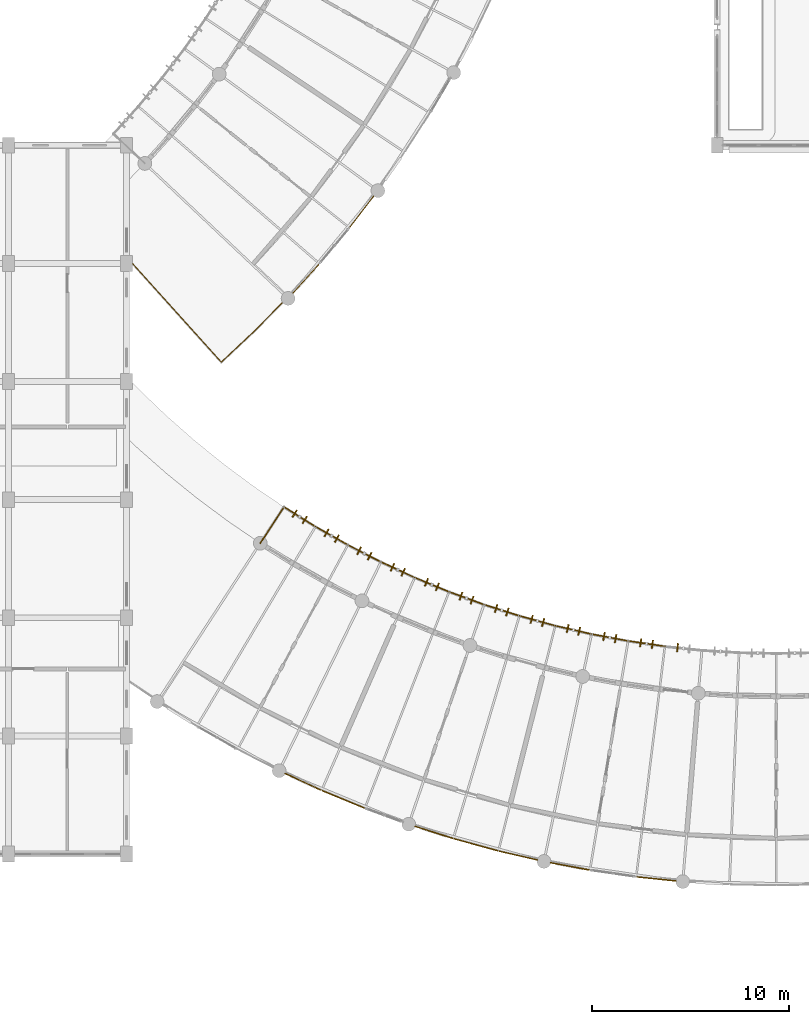
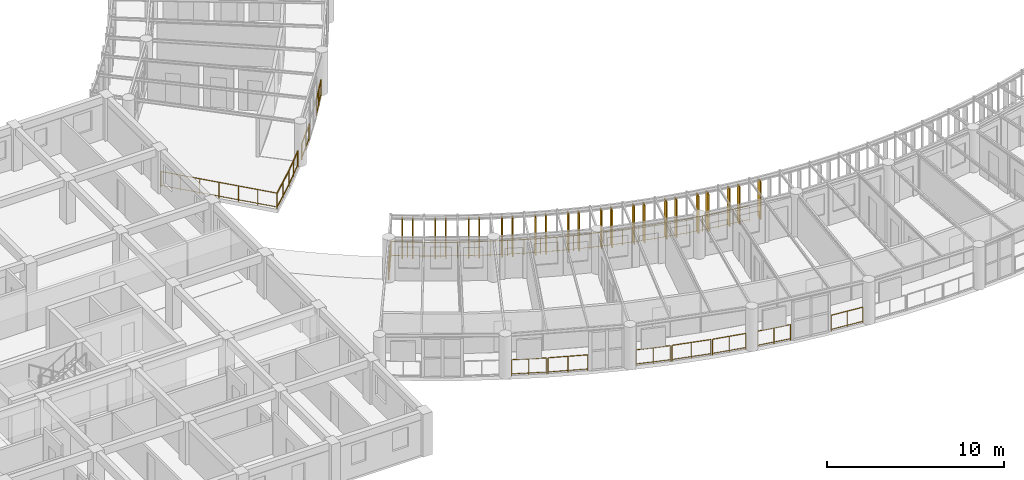
# One storey, part 123 of 137: 24 railings, 23 shading devices.
"""IFC4 building model written with IfcOpenShell, lengths in metres."""

from ifc_helpers import new_model, si_unit, direction, frame, origin, origin_2d, place, context, subcontext, project, spatial, rectangle, circle, extrude, material, layer, layer_set, type_object, element, save


model = new_model("IFC4")

# Units and contexts
model_context = context("Model", 3, precision=1e-05, world=origin(), true_north=direction((0.0, 1.0)))
body_context = subcontext(model_context, "Body", "Model", "MODEL_VIEW")
ifc_project = project(units=[si_unit("LENGTHUNIT", "METRE"), si_unit("AREAUNIT", "SQUARE_METRE"), si_unit("VOLUMEUNIT", "CUBIC_METRE"), si_unit("PLANEANGLEUNIT", "RADIAN"), si_unit("MASSUNIT", "GRAM", prefix="KILO"), si_unit("POWERUNIT", "WATT"), si_unit("THERMODYNAMICTEMPERATUREUNIT", "KELVIN")], contexts=[model_context])

# Site, building, storey
site_placement = place(None, origin())
site = spatial("IfcSite", under=ifc_project, at=site_placement, CompositionType="ELEMENT")
building_placement = place(site_placement, origin())
building = spatial("IfcBuilding", under=site, at=building_placement, Name="Ruvembo Vaulted Housing Court", CompositionType="ELEMENT")
storey_placement = place(building_placement, frame((0.0, 0.0, 4.5)))
storey = spatial("IfcBuildingStorey", under=building, at=storey_placement, Name="L01", CompositionType="ELEMENT", Elevation=4.5)

# Railings
ifc_material_1 = material(Name="Galvanised Painted Steel and Laminated Glass", Category="steel")
ifc_layer_1 = layer(ifc_material_1, 0.070068359375, Name="Galvanised Painted Steel and Laminated Glass")
ifc_layer_set_1 = layer_set([ifc_layer_1], Name="Galvanised Painted Steel and Laminated Glass")
railing_type_1 = type_object("IfcRailingType", Name="RL-BALUST-1120", PredefinedType="BALUSTRADE", material=ifc_layer_set_1)
railing_1_placement = place(storey_placement, frame((44.442626953125, 34.47900390625, 0.0)))
element("IfcRailing", 1, at=railing_1_placement, inside=storey, type_object=railing_type_1, Name="L01 Perimeter Guard RL-EXT-L01-0037", PredefinedType="BALUSTRADE", context=body_context, shape_type="SweptSolid", body=[
    extrude(circle(Radius=0.02392578125, at=origin_2d()), frame((0.0, 0.0, 1.09619140625), z_axis=(0.670893916211, 0.741553338062, 0.0), x_axis=(-0.741553338062, 0.670893916211, 0.0)), (0.0, 0.0, 1.0), 1.976318359375),
    extrude(circle(Radius=0.01806640625, at=origin_2d()), frame((0.0, 0.0, 0.1201171875), z_axis=(0.670893916211, 0.741553338062, 0.0), x_axis=(-0.741553338062, 0.670893916211, 0.0)), (0.0, 0.0, 1.0), 1.976318359375),
    extrude(circle(Radius=0.02099609375, at=origin_2d()), origin(), (0.0, 0.0, 1.0), 1.072021484375),
    extrude(circle(Radius=0.02099609375, at=origin_2d()), frame((0.6630859375, 0.73291015625, 0.0)), (0.0, 0.0, 1.0), 1.072021484375),
    extrude(circle(Radius=0.02099609375, at=origin_2d()), frame((1.325927734375, 1.465576171875, 0.0)), (0.0, 0.0, 1.0), 1.072021484375),
])
railing_2_placement = place(storey_placement, frame((47.35302734375, 37.847900390625, 0.0)))
element("IfcRailing", 2, at=railing_2_placement, inside=storey, type_object=railing_type_1, Name="L01 Perimeter Guard RL-EXT-L01-0038", PredefinedType="BALUSTRADE", context=body_context, shape_type="SweptSolid", body=[
    extrude(circle(Radius=0.02392578125, at=origin_2d()), frame((0.0, 0.0, 1.09619140625), z_axis=(0.607954304296, 0.793972017069, 0.0), x_axis=(-0.793972017069, 0.607954304296, 0.0)), (0.0, 0.0, 1.0), 1.9765625),
    extrude(circle(Radius=0.01806640625, at=origin_2d()), frame((0.0, 0.0, 0.1201171875), z_axis=(0.607954304296, 0.793972017069, 0.0), x_axis=(-0.793972017069, 0.607954304296, 0.0)), (0.0, 0.0, 1.0), 1.9765625),
    extrude(circle(Radius=0.02099609375, at=origin_2d()), origin(), (0.0, 0.0, 1.0), 1.072021484375),
    extrude(circle(Radius=0.02099609375, at=origin_2d()), frame((0.600830078125, 0.78466796875, 0.0)), (0.0, 0.0, 1.0), 1.072021484375),
    extrude(circle(Radius=0.02099609375, at=origin_2d()), frame((1.20166015625, 1.5693359375, 0.0)), (0.0, 0.0, 1.0), 1.072021484375),
])
railing_3_placement = place(storey_placement, frame((44.0673828125, 10.08251953125, 0.0)))
element("IfcRailing", 3, at=railing_3_placement, inside=storey, type_object=railing_type_1, Name="L01 Perimeter Guard RL-EXT-L01-0268", PredefinedType="BALUSTRADE", context=body_context, shape_type="SweptSolid", body=[
    extrude(circle(Radius=0.02392578125, at=origin_2d()), frame((0.0, 0.0, 1.09619140625), z_axis=(0.907673517056, -0.41967700251, 0.0), x_axis=(0.41967700251, 0.907673517056, 0.0)), (0.0, 0.0, 1.0), 1.97607421875),
    extrude(circle(Radius=0.01806640625, at=origin_2d()), frame((0.0, 0.0, 0.1201171875), z_axis=(0.907673517056, -0.41967700251, 0.0), x_axis=(0.41967700251, 0.907673517056, 0.0)), (0.0, 0.0, 1.0), 1.97607421875),
    extrude(circle(Radius=0.02099609375, at=origin_2d()), origin(), (0.0, 0.0, 1.0), 1.072021484375),
    extrude(circle(Radius=0.02099609375, at=origin_2d()), frame((0.89697265625, -0.41455078125, 0.0)), (0.0, 0.0, 1.0), 1.072021484375),
    extrude(circle(Radius=0.02099609375, at=origin_2d()), frame((1.793701171875, -0.829345703125, 0.0)), (0.0, 0.0, 1.0), 1.072021484375),
])
railing_4_placement = place(storey_placement, frame((45.95263671875, 9.213134765625, 0.0)))
element("IfcRailing", 4, at=railing_4_placement, inside=storey, type_object=railing_type_1, Name="L01 Perimeter Guard RL-EXT-L01-0269", PredefinedType="BALUSTRADE", context=body_context, shape_type="SweptSolid", body=[
    extrude(circle(Radius=0.02392578125, at=origin_2d()), frame((0.0, 0.0, 1.09619140625), z_axis=(0.924177481842, -0.381963325538, 0.0), x_axis=(0.381963325538, 0.924177481842, 0.0)), (0.0, 0.0, 1.0), 2.276123046875),
    extrude(circle(Radius=0.01806640625, at=origin_2d()), frame((0.0, 0.0, 0.1201171875), z_axis=(0.924177481842, -0.381963325538, 0.0), x_axis=(0.381963325538, 0.924177481842, 0.0)), (0.0, 0.0, 1.0), 2.276123046875),
    extrude(circle(Radius=0.02099609375, at=origin_2d()), origin(), (0.0, 0.0, 1.0), 1.072021484375),
    extrude(circle(Radius=0.02099609375, at=origin_2d()), frame((1.0517578125, -0.4345703125, 0.0)), (0.0, 0.0, 1.0), 1.072021484375),
    extrude(circle(Radius=0.02099609375, at=origin_2d()), frame((2.103515625, -0.869384765625, 0.0)), (0.0, 0.0, 1.0), 1.072021484375),
])
railing_5_placement = place(storey_placement, frame((50.6669921875, 7.40185546875, 0.0)))
element("IfcRailing", 5, at=railing_5_placement, inside=storey, type_object=railing_type_1, Name="L01 Perimeter Guard RL-EXT-L01-0270", PredefinedType="BALUSTRADE", context=body_context, shape_type="SweptSolid", body=[
    extrude(circle(Radius=0.02392578125, at=origin_2d()), frame((0.0, 0.0, 1.09619140625), z_axis=(0.952538839292, -0.304417081714, 0.0), x_axis=(0.304417081714, 0.952538839292, 0.0)), (0.0, 0.0, 1.0), 1.97607421875),
    extrude(circle(Radius=0.01806640625, at=origin_2d()), frame((0.0, 0.0, 0.1201171875), z_axis=(0.952538839292, -0.304417081714, 0.0), x_axis=(0.304417081714, 0.952538839292, 0.0)), (0.0, 0.0, 1.0), 1.97607421875),
    extrude(circle(Radius=0.02099609375, at=origin_2d()), origin(), (0.0, 0.0, 1.0), 1.072021484375),
    extrude(circle(Radius=0.02099609375, at=origin_2d()), frame((0.941162109375, -0.30078125, 0.0)), (0.0, 0.0, 1.0), 1.072021484375),
    extrude(circle(Radius=0.02099609375, at=origin_2d()), frame((1.88232421875, -0.6015625, 0.0)), (0.0, 0.0, 1.0), 1.072021484375),
])
railing_6_placement = place(storey_placement, frame((52.64501953125, 6.771728515625, 0.0)))
element("IfcRailing", 6, at=railing_6_placement, inside=storey, type_object=railing_type_1, Name="L01 Perimeter Guard RL-EXT-L01-0271", PredefinedType="BALUSTRADE", context=body_context, shape_type="SweptSolid", body=[
    extrude(circle(Radius=0.02392578125, at=origin_2d()), frame((0.0, 0.0, 1.09619140625), z_axis=(0.964267067666, -0.264932108691, 0.0), x_axis=(0.264932108691, 0.964267067666, 0.0)), (0.0, 0.0, 1.0), 2.276123046875),
    extrude(circle(Radius=0.01806640625, at=origin_2d()), frame((0.0, 0.0, 0.1201171875), z_axis=(0.964267067666, -0.264932108691, 0.0), x_axis=(0.264932108691, 0.964267067666, 0.0)), (0.0, 0.0, 1.0), 2.276123046875),
    extrude(circle(Radius=0.02099609375, at=origin_2d()), origin(), (0.0, 0.0, 1.0), 1.072021484375),
    extrude(circle(Radius=0.02099609375, at=origin_2d()), frame((1.097412109375, -0.301513671875, 0.0)), (0.0, 0.0, 1.0), 1.072021484375),
    extrude(circle(Radius=0.02099609375, at=origin_2d()), frame((2.19482421875, -0.60302734375, 0.0)), (0.0, 0.0, 1.0), 1.072021484375),
])
railing_7_placement = place(storey_placement, frame((54.936767578125, 6.144287109375, 0.0)))
element("IfcRailing", 7, at=railing_7_placement, inside=storey, type_object=railing_type_1, Name="L01 Perimeter Guard RL-EXT-L01-0272", PredefinedType="BALUSTRADE", context=body_context, shape_type="SweptSolid", body=[
    extrude(circle(Radius=0.02392578125, at=origin_2d()), frame((0.0, 0.0, 1.09619140625), z_axis=(0.974359950311, -0.224994860451, 0.0), x_axis=(0.224994860451, 0.974359950311, 0.0)), (0.0, 0.0, 1.0), 1.97607421875),
    extrude(circle(Radius=0.01806640625, at=origin_2d()), frame((0.0, 0.0, 0.1201171875), z_axis=(0.974359950311, -0.224994860451, 0.0), x_axis=(0.224994860451, 0.974359950311, 0.0)), (0.0, 0.0, 1.0), 1.97607421875),
    extrude(circle(Radius=0.02099609375, at=origin_2d()), origin(), (0.0, 0.0, 1.0), 1.072021484375),
    extrude(circle(Radius=0.02099609375, at=origin_2d()), frame((0.962646484375, -0.22216796875, 0.0)), (0.0, 0.0, 1.0), 1.072021484375),
    extrude(circle(Radius=0.02099609375, at=origin_2d()), frame((1.92529296875, -0.444580078125, 0.0)), (0.0, 0.0, 1.0), 1.072021484375),
])
railing_8_placement = place(storey_placement, frame((57.547119140625, 5.556396484375, 0.0)))
element("IfcRailing", 8, at=railing_8_placement, inside=storey, type_object=railing_type_1, Name="L01 Perimeter Guard RL-EXT-L01-0273", PredefinedType="BALUSTRADE", context=body_context, shape_type="SweptSolid", body=[
    extrude(circle(Radius=0.02392578125, at=origin_2d()), frame((0.0, 0.0, 1.09619140625), z_axis=(0.982817596647, -0.184579445555, 0.0), x_axis=(0.184579445555, 0.982817596647, 0.0)), (0.0, 0.0, 1.0), 1.97607421875),
    extrude(circle(Radius=0.01806640625, at=origin_2d()), frame((0.0, 0.0, 0.1201171875), z_axis=(0.982817596647, -0.184579445555, 0.0), x_axis=(0.184579445555, 0.982817596647, 0.0)), (0.0, 0.0, 1.0), 1.97607421875),
    extrude(circle(Radius=0.02099609375, at=origin_2d()), origin(), (0.0, 0.0, 1.0), 1.072021484375),
    extrude(circle(Radius=0.02099609375, at=origin_2d()), frame((0.97119140625, -0.182373046875, 0.0)), (0.0, 0.0, 1.0), 1.072021484375),
    extrude(circle(Radius=0.02099609375, at=origin_2d()), frame((1.942138671875, -0.36474609375, 0.0)), (0.0, 0.0, 1.0), 1.072021484375),
])
railing_9_placement = place(storey_placement, frame((61.939208984375, 4.83544921875, 0.0)))
element("IfcRailing", 9, at=railing_9_placement, inside=storey, type_object=railing_type_1, Name="L01 Perimeter Guard RL-EXT-L01-0274", PredefinedType="BALUSTRADE", context=body_context, shape_type="SweptSolid", body=[
    extrude(circle(Radius=0.02392578125, at=origin_2d()), frame((0.0, 0.0, 1.09619140625), z_axis=(0.994677394502, -0.103038249536, 0.0), x_axis=(0.103038249536, 0.994677394502, 0.0)), (0.0, 0.0, 1.0), 1.97607421875),
    extrude(circle(Radius=0.01806640625, at=origin_2d()), frame((0.0, 0.0, 0.1201171875), z_axis=(0.994677394502, -0.103038249536, 0.0), x_axis=(0.103038249536, 0.994677394502, 0.0)), (0.0, 0.0, 1.0), 1.97607421875),
    extrude(circle(Radius=0.02099609375, at=origin_2d()), origin(), (0.0, 0.0, 1.0), 1.072021484375),
    extrude(circle(Radius=0.02099609375, at=origin_2d()), frame((0.98291015625, -0.101806640625, 0.0)), (0.0, 0.0, 1.0), 1.072021484375),
    extrude(circle(Radius=0.02099609375, at=origin_2d()), frame((1.965576171875, -0.20361328125, 0.0)), (0.0, 0.0, 1.0), 1.072021484375),
])
ifc_material_2 = material(Name="Galvanised Painted Steel S275", Category="steel")
ifc_layer_2 = layer(ifc_material_2, 0.06005859375, Name="Galvanised Painted Steel S275")
ifc_layer_set_2 = layer_set([ifc_layer_2], Name="Galvanised Painted Steel S275")
railing_type_2 = type_object("IfcRailingType", Name="RL-GUARD-1100", PredefinedType="GUARDRAIL", material=ifc_layer_set_2)
railing_10_placement = place(storey_placement, frame((42.79345703125, 21.785400390625, 0.0)))
element("IfcRailing", 10, at=railing_10_placement, inside=storey, type_object=railing_type_2, Name="L01 Perimeter Guard RL-EXT-L01-0236", PredefinedType="GUARDRAIL", context=body_context, shape_type="SweptSolid", body=[
    extrude(circle(Radius=0.02392578125, at=origin_2d()), frame((0.0, 0.0, 1.076171875), z_axis=(0.546013859183, 0.837776142881, 0.0), x_axis=(-0.837776142881, 0.546013859183, 0.0)), (0.0, 0.0, 1.0), 2.199951171875),
    extrude(circle(Radius=0.01806640625, at=origin_2d()), frame((0.0, 0.0, 0.1201171875), z_axis=(0.546013859183, 0.837776142881, 0.0), x_axis=(-0.837776142881, 0.546013859183, 0.0)), (0.0, 0.0, 1.0), 2.199951171875),
    extrude(circle(Radius=0.02099609375, at=origin_2d()), origin(), (0.0, 0.0, 1.0), 1.052001953125),
    extrude(circle(Radius=0.02099609375, at=origin_2d()), frame((0.6005859375, 0.92138671875, 0.0)), (0.0, 0.0, 1.0), 1.052001953125),
    extrude(circle(Radius=0.02099609375, at=origin_2d()), frame((1.201171875, 1.843017578125, 0.0)), (0.0, 0.0, 1.0), 1.052001953125),
])
railing_11_placement = place(storey_placement, frame((43.99462890625, 23.62841796875, 0.0)))
element("IfcRailing", 11, at=railing_11_placement, inside=storey, type_object=railing_type_2, Name="L01 Perimeter Guard RL-EXT-L01-0237", PredefinedType="GUARDRAIL", context=body_context, shape_type="SweptSolid", body=[
    extrude(circle(Radius=0.02392578125, at=origin_2d()), frame((0.0, 0.0, 1.076171875), z_axis=(0.848904567119, -0.52854615307, 0.0), x_axis=(0.52854615307, 0.848904567119, 0.0)), (0.0, 0.0, 1.0), 1.88916015625),
    extrude(circle(Radius=0.01806640625, at=origin_2d()), frame((0.0, 0.0, 0.1201171875), z_axis=(0.848904567119, -0.52854615307, 0.0), x_axis=(0.52854615307, 0.848904567119, 0.0)), (0.0, 0.0, 1.0), 1.88916015625),
    extrude(circle(Radius=0.02099609375, at=origin_2d()), origin(), (0.0, 0.0, 1.0), 1.052001953125),
    extrude(circle(Radius=0.02099609375, at=origin_2d()), frame((0.8017578125, -0.499267578125, 0.0)), (0.0, 0.0, 1.0), 1.052001953125),
    extrude(circle(Radius=0.02099609375, at=origin_2d()), frame((1.603759765625, -0.99853515625, 0.0)), (0.0, 0.0, 1.0), 1.052001953125),
])
railing_12_placement = place(storey_placement, frame((45.598388671875, 22.6298828125, 0.0)))
element("IfcRailing", 12, at=railing_12_placement, inside=storey, type_object=railing_type_2, Name="L01 Perimeter Guard RL-EXT-L01-0238", PredefinedType="GUARDRAIL", context=body_context, shape_type="SweptSolid", body=[
    extrude(circle(Radius=0.02392578125, at=origin_2d()), frame((0.0, 0.0, 1.076171875), z_axis=(0.869955662473, -0.493129947712, 0.0), x_axis=(0.493129947712, 0.869955662473, 0.0)), (0.0, 0.0, 1.0), 1.88916015625),
    extrude(circle(Radius=0.01806640625, at=origin_2d()), frame((0.0, 0.0, 0.1201171875), z_axis=(0.869955662473, -0.493129947712, 0.0), x_axis=(0.493129947712, 0.869955662473, 0.0)), (0.0, 0.0, 1.0), 1.88916015625),
    extrude(circle(Radius=0.02099609375, at=origin_2d()), origin(), (0.0, 0.0, 1.0), 1.052001953125),
    extrude(circle(Radius=0.02099609375, at=origin_2d()), frame((0.82177734375, -0.4658203125, 0.0)), (0.0, 0.0, 1.0), 1.052001953125),
    extrude(circle(Radius=0.02099609375, at=origin_2d()), frame((1.6435546875, -0.931640625, 0.0)), (0.0, 0.0, 1.0), 1.052001953125),
])
railing_13_placement = place(storey_placement, frame((47.241943359375, 21.6982421875, 0.0)))
element("IfcRailing", 13, at=railing_13_placement, inside=storey, type_object=railing_type_2, Name="L01 Perimeter Guard RL-EXT-L01-0239", PredefinedType="GUARDRAIL", context=body_context, shape_type="SweptSolid", body=[
    extrude(circle(Radius=0.02392578125, at=origin_2d()), frame((0.0, 0.0, 1.076171875), z_axis=(0.889568437347, -0.45680192127, 0.0), x_axis=(0.45680192127, 0.889568437347, 0.0)), (0.0, 0.0, 1.0), 1.889404296875),
    extrude(circle(Radius=0.01806640625, at=origin_2d()), frame((0.0, 0.0, 0.1201171875), z_axis=(0.889568437347, -0.45680192127, 0.0), x_axis=(0.45680192127, 0.889568437347, 0.0)), (0.0, 0.0, 1.0), 1.889404296875),
    extrude(circle(Radius=0.02099609375, at=origin_2d()), origin(), (0.0, 0.0, 1.0), 1.052001953125),
    extrude(circle(Radius=0.02099609375, at=origin_2d()), frame((0.84033203125, -0.431640625, 0.0)), (0.0, 0.0, 1.0), 1.052001953125),
    extrude(circle(Radius=0.02099609375, at=origin_2d()), frame((1.6806640625, -0.863037109375, 0.0)), (0.0, 0.0, 1.0), 1.052001953125),
])
railing_14_placement = place(storey_placement, frame((48.922607421875, 20.835205078125, 0.0)))
element("IfcRailing", 14, at=railing_14_placement, inside=storey, type_object=railing_type_2, Name="L01 Perimeter Guard RL-EXT-L01-0240", PredefinedType="GUARDRAIL", context=body_context, shape_type="SweptSolid", body=[
    extrude(circle(Radius=0.02392578125, at=origin_2d()), frame((0.0, 0.0, 1.076171875), z_axis=(0.907656578832, -0.419713634403, 0.0), x_axis=(0.419713634403, 0.907656578832, 0.0)), (0.0, 0.0, 1.0), 1.889404296875),
    extrude(circle(Radius=0.01806640625, at=origin_2d()), frame((0.0, 0.0, 0.1201171875), z_axis=(0.907656578832, -0.419713634403, 0.0), x_axis=(0.419713634403, 0.907656578832, 0.0)), (0.0, 0.0, 1.0), 1.889404296875),
    extrude(circle(Radius=0.02099609375, at=origin_2d()), origin(), (0.0, 0.0, 1.0), 1.052001953125),
    extrude(circle(Radius=0.02099609375, at=origin_2d()), frame((0.857421875, -0.396484375, 0.0)), (0.0, 0.0, 1.0), 1.052001953125),
    extrude(circle(Radius=0.02099609375, at=origin_2d()), frame((1.71484375, -0.79296875, 0.0)), (0.0, 0.0, 1.0), 1.052001953125),
])
railing_15_placement = place(storey_placement, frame((50.637451171875, 20.042236328125, 0.0)))
element("IfcRailing", 15, at=railing_15_placement, inside=storey, type_object=railing_type_2, Name="L01 Perimeter Guard RL-EXT-L01-0241", PredefinedType="GUARDRAIL", context=body_context, shape_type="SweptSolid", body=[
    extrude(circle(Radius=0.02392578125, at=origin_2d()), frame((0.0, 0.0, 1.076171875), z_axis=(0.924155321549, -0.38201693896, 0.0), x_axis=(0.38201693896, 0.924155321549, 0.0)), (0.0, 0.0, 1.0), 1.88916015625),
    extrude(circle(Radius=0.01806640625, at=origin_2d()), frame((0.0, 0.0, 0.1201171875), z_axis=(0.924155321549, -0.38201693896, 0.0), x_axis=(0.38201693896, 0.924155321549, 0.0)), (0.0, 0.0, 1.0), 1.88916015625),
    extrude(circle(Radius=0.02099609375, at=origin_2d()), origin(), (0.0, 0.0, 1.0), 1.052001953125),
    extrude(circle(Radius=0.02099609375, at=origin_2d()), frame((0.873046875, -0.36083984375, 0.0)), (0.0, 0.0, 1.0), 1.052001953125),
    extrude(circle(Radius=0.02099609375, at=origin_2d()), frame((1.745849609375, -0.7216796875, 0.0)), (0.0, 0.0, 1.0), 1.052001953125),
])
railing_16_placement = place(storey_placement, frame((52.38330078125, 19.320556640625, 0.0)))
element("IfcRailing", 16, at=railing_16_placement, inside=storey, type_object=railing_type_2, Name="L01 Perimeter Guard RL-EXT-L01-0242", PredefinedType="GUARDRAIL", context=body_context, shape_type="SweptSolid", body=[
    extrude(circle(Radius=0.02392578125, at=origin_2d()), frame((0.0, 0.0, 1.076171875), z_axis=(0.939165556371, -0.343464783824, 0.0), x_axis=(0.343464783824, 0.939165556371, 0.0)), (0.0, 0.0, 1.0), 1.889404296875),
    extrude(circle(Radius=0.01806640625, at=origin_2d()), frame((0.0, 0.0, 0.1201171875), z_axis=(0.939165556371, -0.343464783824, 0.0), x_axis=(0.343464783824, 0.939165556371, 0.0)), (0.0, 0.0, 1.0), 1.889404296875),
    extrude(circle(Radius=0.02099609375, at=origin_2d()), origin(), (0.0, 0.0, 1.0), 1.052001953125),
    extrude(circle(Radius=0.02099609375, at=origin_2d()), frame((0.88720703125, -0.324462890625, 0.0)), (0.0, 0.0, 1.0), 1.052001953125),
    extrude(circle(Radius=0.02099609375, at=origin_2d()), frame((1.7744140625, -0.64892578125, 0.0)), (0.0, 0.0, 1.0), 1.052001953125),
])
railing_17_placement = place(storey_placement, frame((54.15771484375, 18.671630859375, 0.0)))
element("IfcRailing", 17, at=railing_17_placement, inside=storey, type_object=railing_type_2, Name="L01 Perimeter Guard RL-EXT-L01-0243", PredefinedType="GUARDRAIL", context=body_context, shape_type="SweptSolid", body=[
    extrude(circle(Radius=0.02392578125, at=origin_2d()), frame((0.0, 0.0, 1.076171875), z_axis=(0.952526124364, -0.304456864605, 0.0), x_axis=(0.304456864605, 0.952526124364, 0.0)), (0.0, 0.0, 1.0), 1.88916015625),
    extrude(circle(Radius=0.01806640625, at=origin_2d()), frame((0.0, 0.0, 0.1201171875), z_axis=(0.952526124364, -0.304456864605, 0.0), x_axis=(0.304456864605, 0.952526124364, 0.0)), (0.0, 0.0, 1.0), 1.88916015625),
    extrude(circle(Radius=0.02099609375, at=origin_2d()), origin(), (0.0, 0.0, 1.0), 1.052001953125),
    extrude(circle(Radius=0.02099609375, at=origin_2d()), frame((0.89990234375, -0.28759765625, 0.0)), (0.0, 0.0, 1.0), 1.052001953125),
    extrude(circle(Radius=0.02099609375, at=origin_2d()), frame((1.799560546875, -0.5751953125, 0.0)), (0.0, 0.0, 1.0), 1.052001953125),
])
railing_18_placement = place(storey_placement, frame((55.957275390625, 18.096435546875, 0.0)))
element("IfcRailing", 18, at=railing_18_placement, inside=storey, type_object=railing_type_2, Name="L01 Perimeter Guard RL-EXT-L01-0244", PredefinedType="GUARDRAIL", context=body_context, shape_type="SweptSolid", body=[
    extrude(circle(Radius=0.02392578125, at=origin_2d()), frame((0.0, 0.0, 1.076171875), z_axis=(0.964240073493, -0.26503033915, 0.0), x_axis=(0.26503033915, 0.964240073493, 0.0)), (0.0, 0.0, 1.0), 1.889404296875),
    extrude(circle(Radius=0.01806640625, at=origin_2d()), frame((0.0, 0.0, 0.1201171875), z_axis=(0.964240073493, -0.26503033915, 0.0), x_axis=(0.26503033915, 0.964240073493, 0.0)), (0.0, 0.0, 1.0), 1.889404296875),
    extrude(circle(Radius=0.02099609375, at=origin_2d()), origin(), (0.0, 0.0, 1.0), 1.052001953125),
    extrude(circle(Radius=0.02099609375, at=origin_2d()), frame((0.910888671875, -0.25048828125, 0.0)), (0.0, 0.0, 1.0), 1.052001953125),
    extrude(circle(Radius=0.02099609375, at=origin_2d()), frame((1.82177734375, -0.500732421875, 0.0)), (0.0, 0.0, 1.0), 1.052001953125),
])
railing_19_placement = place(storey_placement, frame((57.779052734375, 17.595703125, 0.0)))
element("IfcRailing", 19, at=railing_19_placement, inside=storey, type_object=railing_type_2, Name="L01 Perimeter Guard RL-EXT-L01-0245", PredefinedType="GUARDRAIL", context=body_context, shape_type="SweptSolid", body=[
    extrude(circle(Radius=0.02392578125, at=origin_2d()), frame((0.0, 0.0, 1.076171875), z_axis=(0.974391195695, -0.224859506699, 0.0), x_axis=(0.224859506699, 0.974391195695, 0.0)), (0.0, 0.0, 1.0), 1.88916015625),
    extrude(circle(Radius=0.01806640625, at=origin_2d()), frame((0.0, 0.0, 0.1201171875), z_axis=(0.974391195695, -0.224859506699, 0.0), x_axis=(0.224859506699, 0.974391195695, 0.0)), (0.0, 0.0, 1.0), 1.88916015625),
    extrude(circle(Radius=0.02099609375, at=origin_2d()), origin(), (0.0, 0.0, 1.0), 1.052001953125),
    extrude(circle(Radius=0.02099609375, at=origin_2d()), frame((0.92041015625, -0.21240234375, 0.0)), (0.0, 0.0, 1.0), 1.052001953125),
    extrude(circle(Radius=0.02099609375, at=origin_2d()), frame((1.8408203125, -0.4248046875, 0.0)), (0.0, 0.0, 1.0), 1.052001953125),
])
railing_20_placement = place(storey_placement, frame((59.619873046875, 17.1708984375, 0.0)))
element("IfcRailing", 20, at=railing_20_placement, inside=storey, type_object=railing_type_2, Name="L01 Perimeter Guard RL-EXT-L01-0246", PredefinedType="GUARDRAIL", context=body_context, shape_type="SweptSolid", body=[
    extrude(circle(Radius=0.02392578125, at=origin_2d()), frame((0.0, 0.0, 1.076171875), z_axis=(0.982804832401, -0.184647397515, 0.0), x_axis=(0.184647397515, 0.982804832401, 0.0)), (0.0, 0.0, 1.0), 1.889404296875),
    extrude(circle(Radius=0.01806640625, at=origin_2d()), frame((0.0, 0.0, 0.1201171875), z_axis=(0.982804832401, -0.184647397515, 0.0), x_axis=(0.184647397515, 0.982804832401, 0.0)), (0.0, 0.0, 1.0), 1.889404296875),
    extrude(circle(Radius=0.02099609375, at=origin_2d()), origin(), (0.0, 0.0, 1.0), 1.052001953125),
    extrude(circle(Radius=0.02099609375, at=origin_2d()), frame((0.928466796875, -0.17431640625, 0.0)), (0.0, 0.0, 1.0), 1.052001953125),
    extrude(circle(Radius=0.02099609375, at=origin_2d()), frame((1.85693359375, -0.348876953125, 0.0)), (0.0, 0.0, 1.0), 1.052001953125),
])
railing_21_placement = place(storey_placement, frame((61.476806640625, 16.822021484375, 0.0)))
element("IfcRailing", 21, at=railing_21_placement, inside=storey, type_object=railing_type_2, Name="L01 Perimeter Guard RL-EXT-L01-0247", PredefinedType="GUARDRAIL", context=body_context, shape_type="SweptSolid", body=[
    extrude(circle(Radius=0.02392578125, at=origin_2d()), frame((0.0, 0.0, 1.076171875), z_axis=(0.989600158039, -0.143845497701, 0.0), x_axis=(0.143845497701, 0.989600158039, 0.0)), (0.0, 0.0, 1.0), 1.888916015625),
    extrude(circle(Radius=0.01806640625, at=origin_2d()), frame((0.0, 0.0, 0.1201171875), z_axis=(0.989600158039, -0.143845497701, 0.0), x_axis=(0.143845497701, 0.989600158039, 0.0)), (0.0, 0.0, 1.0), 1.888916015625),
    extrude(circle(Radius=0.02099609375, at=origin_2d()), origin(), (0.0, 0.0, 1.0), 1.052001953125),
    extrude(circle(Radius=0.02099609375, at=origin_2d()), frame((0.9345703125, -0.1357421875, 0.0)), (0.0, 0.0, 1.0), 1.052001953125),
    extrude(circle(Radius=0.02099609375, at=origin_2d()), frame((1.869384765625, -0.271728515625, 0.0)), (0.0, 0.0, 1.0), 1.052001953125),
])
railing_22_placement = place(storey_placement, frame((43.906005859375, 33.99755859375, 0.0)))
element("IfcRailing", 22, at=railing_22_placement, inside=storey, type_object=railing_type_2, Name="L01 Perimeter Guard RL-EXT-L01-0888", PredefinedType="GUARDRAIL", context=body_context, shape_type="SweptSolid", body=[
    extrude(circle(Radius=0.02392578125, at=origin_2d()), frame((0.0, 0.0, 1.076171875), z_axis=(-0.700626138518, -0.713528565669, 0.0), x_axis=(0.713528565669, -0.700626138518, 0.0)), (0.0, 0.0, 1.0), 2.005859375),
    extrude(circle(Radius=0.01806640625, at=origin_2d()), frame((0.0, 0.0, 0.1201171875), z_axis=(-0.700626138518, -0.713528565669, 0.0), x_axis=(0.713528565669, -0.700626138518, 0.0)), (0.0, 0.0, 1.0), 2.005859375),
    extrude(circle(Radius=0.02099609375, at=origin_2d()), origin(), (0.0, 0.0, 1.0), 1.052001953125),
    extrude(circle(Radius=0.02099609375, at=origin_2d()), frame((-0.70263671875, -0.715576171875, 0.0)), (0.0, 0.0, 1.0), 1.052001953125),
    extrude(circle(Radius=0.02099609375, at=origin_2d()), frame((-1.4052734375, -1.43115234375, 0.0)), (0.0, 0.0, 1.0), 1.052001953125),
])
railing_23_placement = place(storey_placement, frame((42.500732421875, 32.56640625, 0.0)))
element("IfcRailing", 23, at=railing_23_placement, inside=storey, type_object=railing_type_2, Name="L01 Perimeter Guard RL-EXT-L01-0889", PredefinedType="GUARDRAIL", context=body_context, shape_type="SweptSolid", body=[
    extrude(circle(Radius=0.02392578125, at=origin_2d()), frame((0.0, 0.0, 1.076171875), z_axis=(-0.729326576297, -0.684165729269, 0.0), x_axis=(0.684165729269, -0.729326576297, 0.0)), (0.0, 0.0, 1.0), 2.313720703125),
    extrude(circle(Radius=0.01806640625, at=origin_2d()), frame((0.0, 0.0, 0.1201171875), z_axis=(-0.729326576297, -0.684165729269, 0.0), x_axis=(0.684165729269, -0.729326576297, 0.0)), (0.0, 0.0, 1.0), 2.313720703125),
    extrude(circle(Radius=0.02099609375, at=origin_2d()), origin(), (0.0, 0.0, 1.0), 1.052001953125),
    extrude(circle(Radius=0.02099609375, at=origin_2d()), frame((-0.84375, -0.79150390625, 0.0)), (0.0, 0.0, 1.0), 1.052001953125),
    extrude(circle(Radius=0.02099609375, at=origin_2d()), frame((-1.6875, -1.5830078125, 0.0)), (0.0, 0.0, 1.0), 1.052001953125),
])
railing_24_placement = place(storey_placement, frame((40.813232421875, 30.9833984375, 0.0)))
element("IfcRailing", 24, at=railing_24_placement, inside=storey, type_object=railing_type_2, Name="L01 Perimeter Guard RL-EXT-L01-0890", PredefinedType="GUARDRAIL", context=body_context, shape_type="SweptSolid", body=[
    extrude(circle(Radius=0.02392578125, at=origin_2d()), frame((0.0, 0.0, 1.076171875), z_axis=(-0.669146077635, 0.743130894786, 0.0), x_axis=(-0.743130894786, -0.669146077635, 0.0)), (0.0, 0.0, 1.0), 6.91650390625),
    extrude(circle(Radius=0.01806640625, at=origin_2d()), frame((0.0, 0.0, 0.1201171875), z_axis=(-0.669146077635, 0.743130894786, 0.0), x_axis=(-0.743130894786, -0.669146077635, 0.0)), (0.0, 0.0, 1.0), 6.91650390625),
    extrude(circle(Radius=0.02099609375, at=origin_2d()), origin(), (0.0, 0.0, 1.0), 1.052001953125),
    extrude(circle(Radius=0.02099609375, at=origin_2d()), frame((-0.771484375, 0.856689453125, 0.0)), (0.0, 0.0, 1.0), 1.052001953125),
    extrude(circle(Radius=0.02099609375, at=origin_2d()), frame((-1.542724609375, 1.71337890625, 0.0)), (0.0, 0.0, 1.0), 1.052001953125),
    extrude(circle(Radius=0.02099609375, at=origin_2d()), frame((-2.31396484375, 2.56982421875, 0.0)), (0.0, 0.0, 1.0), 1.052001953125),
    extrude(circle(Radius=0.02099609375, at=origin_2d()), frame((-3.08544921875, 3.426513671875, 0.0)), (0.0, 0.0, 1.0), 1.052001953125),
    extrude(circle(Radius=0.02099609375, at=origin_2d()), frame((-3.85693359375, 4.283203125, 0.0)), (0.0, 0.0, 1.0), 1.052001953125),
    extrude(circle(Radius=0.02099609375, at=origin_2d()), frame((-4.628173828125, 5.139892578125, 0.0)), (0.0, 0.0, 1.0), 1.052001953125),
])

# Shading devices
ifc_material_3 = material(Name="Kiln-Fired Terracotta Extrusion", Category="masonry")
shading_device_type = type_object("IfcShadingDeviceType", Name="SHD-FIN-420", PredefinedType="USERDEFINED", material=ifc_material_3)
for number, where, z_axis, x_axis, name in (
    (25, (44.541748046875, 23.287841796875, 0.0498046875), (0.0, 0.0, 1.0), (-0.528556868381, -0.848897895443, 0.0), "Terracotta Brise-Soleil Fin #191"),
    (26, (45.05126953125, 22.970703125, 0.0498046875), (0.0, 0.0, 1.0), (-0.528556868381, -0.848897895443, 0.0), "Terracotta Brise-Soleil Fin #192"),
    (27, (46.1591796875, 22.31201171875, 0.0498046875), (0.0, 0.0, 1.0), (-0.493106983922, -0.86996867898, 0.0), "Terracotta Brise-Soleil Fin #193"),
    (28, (46.68115234375, 22.01611328125, 0.0498046875), (0.0, 0.0, 1.0), (-0.493106983922, -0.86996867898, 0.0), "Terracotta Brise-Soleil Fin #194"),
    (29, (47.8154296875, 21.40380859375, 0.0498046875), (0.0, 0.0, 1.0), (-0.456849537333, -0.889543984432, 0.0), "Terracotta Brise-Soleil Fin #195"),
    (30, (48.34912109375, 21.129638671875, 0.0498046875), (0.0, 0.0, 1.0), (-0.456849537333, -0.889543984432, 0.0), "Terracotta Brise-Soleil Fin #196"),
    (31, (49.5078125, 20.564697265625, 0.0498046875), (0.0, 0.0, 1.0), (-0.419737248448, -0.90764565898, 0.0), "Terracotta Brise-Soleil Fin #197"),
    (32, (50.05224609375, 20.312744140625, 0.0498046875), (0.0, 0.0, 1.0), (-0.419737248448, -0.90764565898, 0.0), "Terracotta Brise-Soleil Fin #198"),
    (33, (51.233154296875, 19.7958984375, 0.0498046875), (0.0, 0.0, 1.0), (-0.381957701122, -0.924179806398, 0.0), "Terracotta Brise-Soleil Fin #199"),
    (34, (51.78759765625, 19.56689453125, 0.0498046875), (0.0, 0.0, 1.0), (-0.381957701122, -0.924179806398, 0.0), "Terracotta Brise-Soleil Fin #200"),
    (35, (52.98876953125, 19.09912109375, 0.0498046875), (0.0, 0.0, 1.0), (-0.343512177766, -0.939148222447, 0.0), "Terracotta Brise-Soleil Fin #201"),
    (36, (53.55224609375, 18.89306640625, 0.0498046875), (0.0, 0.0, 1.0), (-0.343512177766, -0.939148222447, 0.0), "Terracotta Brise-Soleil Fin #202"),
    (37, (54.771728515625, 18.475341796875, 0.0498046875), (0.0, 0.0, 1.0), (-0.304448708958, -0.952528731122, 0.0), "Terracotta Brise-Soleil Fin #203"),
    (38, (55.34326171875, 18.292724609375, 0.0498046875), (0.0, 0.0, 1.0), (-0.304448708958, -0.952528731122, 0.0), "Terracotta Brise-Soleil Fin #204"),
    (39, (56.578857421875, 17.925537109375, 0.0498046875), (0.0, 0.0, 1.0), (-0.264983965035, -0.96425281865, 0.0), "Terracotta Brise-Soleil Fin #205"),
    (40, (57.157470703125, 17.7666015625, 0.0498046875), (0.0, 0.0, 1.0), (-0.264983965035, -0.96425281865, 0.0), "Terracotta Brise-Soleil Fin #206"),
    (41, (58.406982421875, 17.45068359375, 0.0498046875), (0.0, 0.0, 1.0), (-0.224951054344, -0.974370064785, 0.0), "Terracotta Brise-Soleil Fin #207"),
    (42, (58.99169921875, 17.31591796875, 0.0498046875), (0.0, 0.0, 1.0), (-0.224951054344, -0.974370064785, 0.0), "Terracotta Brise-Soleil Fin #208"),
    (43, (60.25341796875, 17.0517578125, 0.0498046875), (0.0, 0.0, 1.0), (-0.184568910756, -0.982819575091, 0.0), "Terracotta Brise-Soleil Fin #209"),
    (44, (60.843017578125, 16.941162109375, 0.0498046875), (0.0, 0.0, 1.0), (-0.184568910756, -0.982819575091, 0.0), "Terracotta Brise-Soleil Fin #210"),
    (45, (62.114501953125, 16.7294921875, 0.0498046875), (0.0, 0.0, 1.0), (-0.143872610257, -0.989596216655, 0.0), "Terracotta Brise-Soleil Fin #211"),
    (46, (62.70849609375, 16.64306640625, 0.0498046875), (0.0, 0.0, 1.0), (-0.143872610257, -0.989596216655, 0.0), "Terracotta Brise-Soleil Fin #212"),
    (47, (63.987548828125, 16.48388671875, 0.0498046875), (0.0, 0.0, 1.0), (-0.102948783072, -0.994686658232, 0.0), "Terracotta Brise-Soleil Fin #213"),
):
    element("IfcShadingDevice", number, at=place(storey_placement, frame(where, z_axis=z_axis, x_axis=x_axis)), inside=storey, type_object=shading_device_type, Name=name, ObjectType="FIN", PredefinedType="USERDEFINED", context=body_context, shape_type="SweptSolid", body=[
        extrude(rectangle(XDim=0.419921875, YDim=0.06494140625, at=origin_2d()), origin(), (0.0, 0.0, 1.0), 2.613037109375),
    ])

save(model, "model.ifc")
